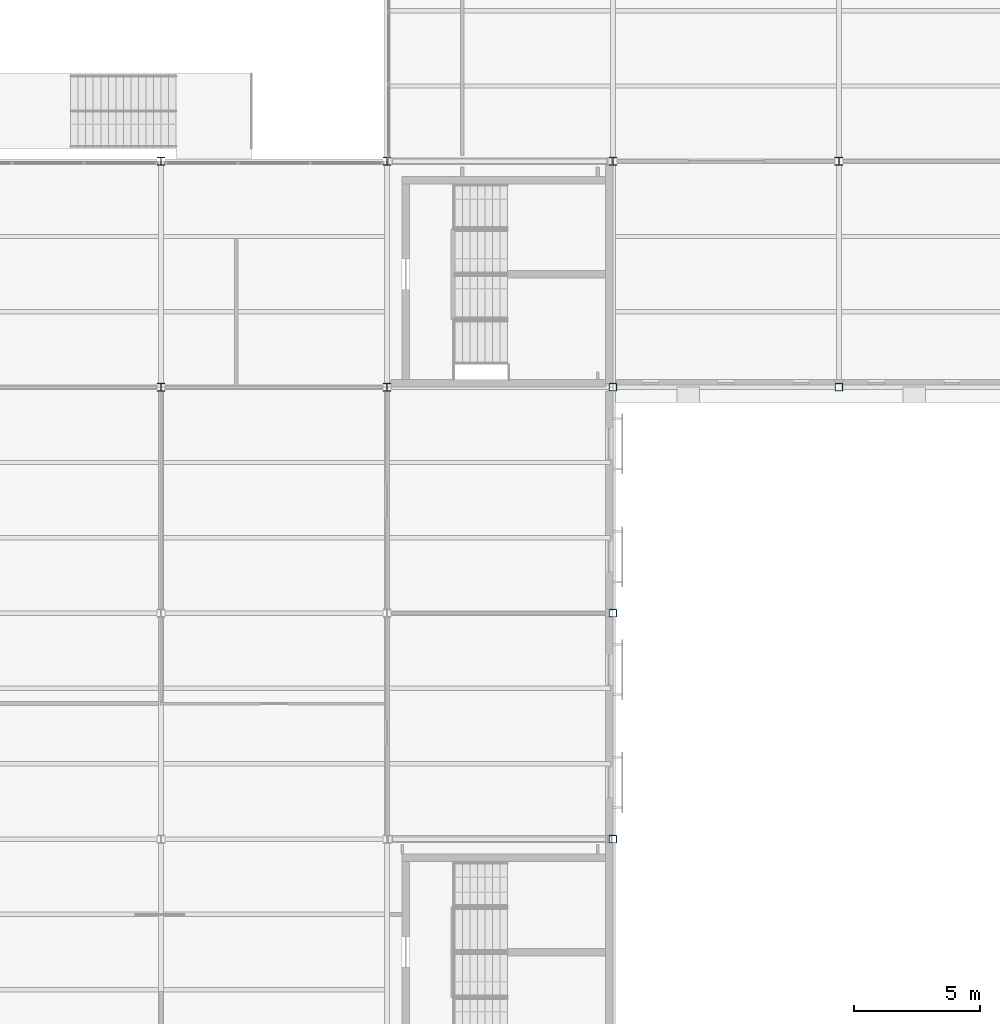
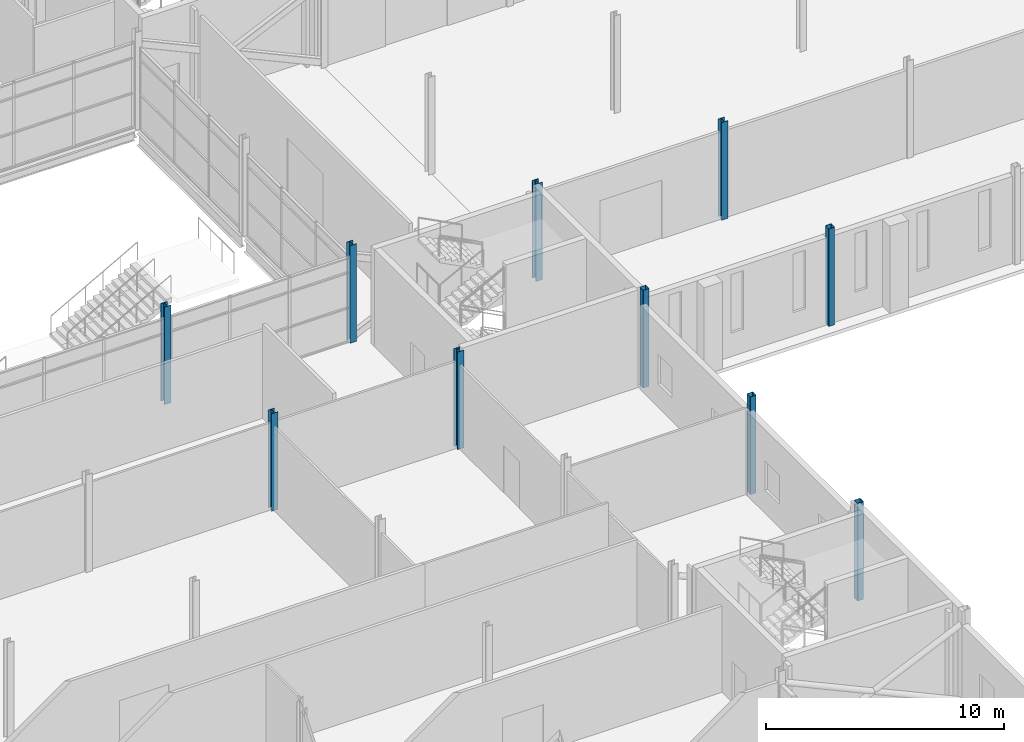
# One storey, part 7 of 112: 10 columns.
"""IFC4 building model written with IfcOpenShell, lengths in metres."""

from ifc_helpers import new_model, si_unit, direction, frame, origin, origin_2d, place, context, subcontext, project, spatial, hollow_rectangle, i_section, extrude, material, material_profile, profile_set, type_object, element, save


model = new_model("IFC4")

# Units and contexts
model_context = context("Model", 3, precision=1e-05, world=origin(), true_north=direction((0.0, 1.0)))
body_context = subcontext(model_context, "Body", "Model", "MODEL_VIEW")
ifc_project = project(units=[si_unit("LENGTHUNIT", "METRE"), si_unit("AREAUNIT", "SQUARE_METRE"), si_unit("VOLUMEUNIT", "CUBIC_METRE"), si_unit("PLANEANGLEUNIT", "RADIAN"), si_unit("MASSUNIT", "GRAM", prefix="KILO")], contexts=[model_context])

# Site, building, storey
site_placement = place(None, origin())
site = spatial("IfcSite", under=ifc_project, at=site_placement, CompositionType="ELEMENT")
building_placement = place(site_placement, origin())
building = spatial("IfcBuilding", under=site, at=building_placement, Name="Shorebreak Coast Museum", CompositionType="ELEMENT")
storey_placement = place(building_placement, frame((0.0, 0.0, 6.0)))
storey = spatial("IfcBuildingStorey", under=building, at=storey_placement, Name="L01", CompositionType="ELEMENT", Elevation=6.0)

# Columns
ifc_material_1 = material(Name="Steel Grade C450L0", Category="steel")
ifc_material_profile_1 = material_profile(ifc_material_1, hollow_rectangle(XDim=0.300048828125, YDim=0.300048828125, WallThickness=0.012451171875, InnerFilletRadius=0.018798828125, OuterFilletRadius=0.03125, at=origin_2d()), Name="300x300x12.5 SHS")
ifc_profile_set_1 = profile_set([ifc_material_profile_1], Name="Steel Grade C450L0")
column_type_1 = type_object("IfcColumnType", Name="Column 300x300x12.5 SHS", PredefinedType="COLUMN", material=ifc_profile_set_1)
for number, where, z_axis, x_axis, name in (
    (1, (117.0, 36.0, 0.0), (0.0, 0.0, 1.0), (1.0, 0.0, 0.0), "Column L01 14E"),
    (2, (117.0, 45.0, 0.0), (0.0, 0.0, 1.0), (1.0, 0.0, 0.0), "Column L01 14F"),
    (3, (117.0, 54.0, 0.0), (0.0, 0.0, 1.0), (1.0, 0.0, 0.0), "Column L01 14G"),
    (4, (126.0, 54.0, 0.0), (0.0, 0.0, 1.0), (1.0, 0.0, 0.0), "Column L01 15G"),
):
    element("IfcColumn", number, at=place(storey_placement, frame(where, z_axis=z_axis, x_axis=x_axis)), inside=storey, type_object=column_type_1, Name=name, PredefinedType="COLUMN", context=body_context, shape_type="SweptSolid", body=[
        extrude(hollow_rectangle(XDim=0.300048828125, YDim=0.300048828125, WallThickness=0.012451171875, InnerFilletRadius=0.018798828125, OuterFilletRadius=0.03125, at=origin_2d()), origin(), (0.0, 0.0, 1.0), 5.0),
    ])
ifc_material_2 = material(Name="Steel Grade 300", Category="steel")
ifc_material_profile_2 = material_profile(ifc_material_2, i_section(OverallWidth=0.30908203125, OverallDepth=0.320556640625, WebThickness=0.013916015625, FlangeThickness=0.021728515625, FilletRadius=0.0166015625, at=origin_2d()), Name="310UC137")
ifc_profile_set_2 = profile_set([ifc_material_profile_2], Name="Steel Grade 300")
column_type_2 = type_object("IfcColumnType", Name="Column 310UC137", PredefinedType="COLUMN", material=ifc_profile_set_2)
for number, where, z_axis, x_axis, name in (
    (5, (99.0, 54.0, 0.0), (0.0, 0.0, 1.0), (1.0, 0.0, 0.0), "Column L01 12G"),
    (6, (108.0, 54.0, 0.0), (0.0, 0.0, 1.0), (1.0, 0.0, 0.0), "Column L01 13G"),
    (7, (117.0, 63.0, 0.0), (0.0, 0.0, 1.0), (1.0, 0.0, 0.0), "Column L01 14H"),
    (8, (126.0, 63.0, 0.0), (0.0, 0.0, 1.0), (1.0, 0.0, 0.0), "Column L01 15H"),
):
    element("IfcColumn", number, at=place(storey_placement, frame(where, z_axis=z_axis, x_axis=x_axis)), inside=storey, type_object=column_type_2, Name=name, PredefinedType="COLUMN", context=body_context, shape_type="SweptSolid", body=[
        extrude(i_section(OverallWidth=0.30908203125, OverallDepth=0.320556640625, WebThickness=0.013916015625, FlangeThickness=0.021728515625, FilletRadius=0.0166015625, at=origin_2d()), origin(), (0.0, 0.0, 1.0), 5.0),
    ])
ifc_material_3 = material(Name="Steel Grade 300", Category="steel")
ifc_material_profile_3 = material_profile(ifc_material_3, i_section(OverallWidth=0.31103515625, OverallDepth=0.3271484375, WebThickness=0.015625, FlangeThickness=0.02490234375, FilletRadius=0.0166015625, at=origin_2d()), Name="310UC158")
ifc_profile_set_3 = profile_set([ifc_material_profile_3], Name="Steel Grade 300")
column_type_3 = type_object("IfcColumnType", Name="Column 310UC158", PredefinedType="COLUMN", material=ifc_profile_set_3)
for number, where, z_axis, x_axis, name in (
    (9, (99.0, 63.0, 0.0), (0.0, 0.0, 1.0), (1.0, 0.0, 0.0), "Column L01 12H"),
    (10, (108.0, 63.0, 0.0), (0.0, 0.0, 1.0), (1.0, 0.0, 0.0), "Column L01 13H"),
):
    element("IfcColumn", number, at=place(storey_placement, frame(where, z_axis=z_axis, x_axis=x_axis)), inside=storey, type_object=column_type_3, Name=name, PredefinedType="COLUMN", context=body_context, shape_type="SweptSolid", body=[
        extrude(i_section(OverallWidth=0.31103515625, OverallDepth=0.3271484375, WebThickness=0.015625, FlangeThickness=0.02490234375, FilletRadius=0.0166015625, at=origin_2d()), origin(), (0.0, 0.0, 1.0), 5.0),
    ])

save(model, "model.ifc")
